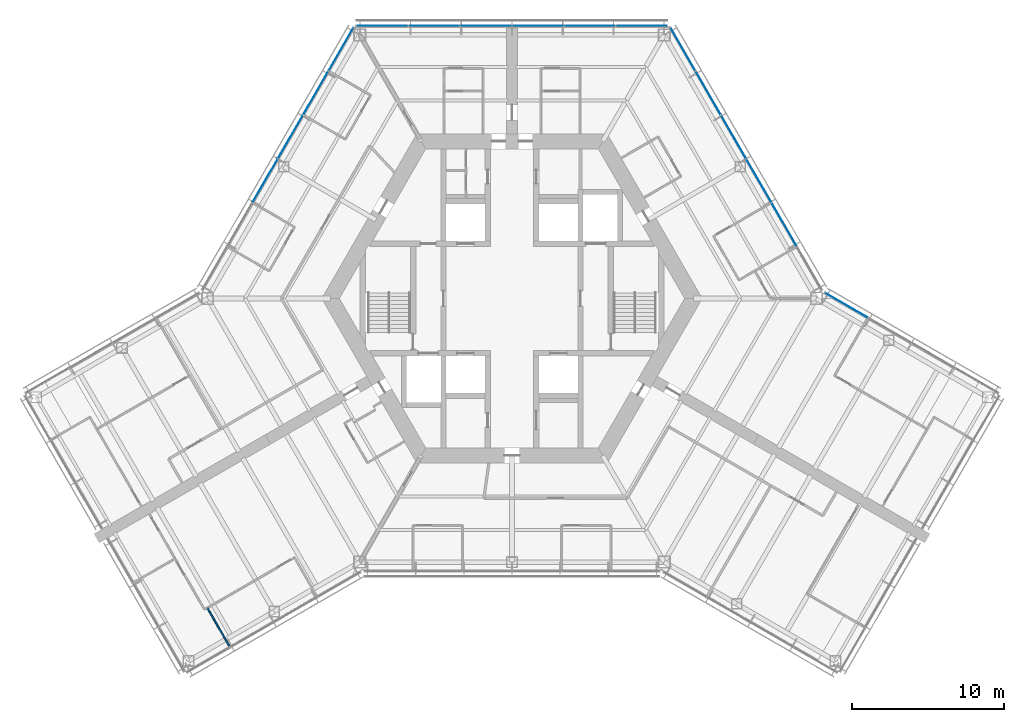
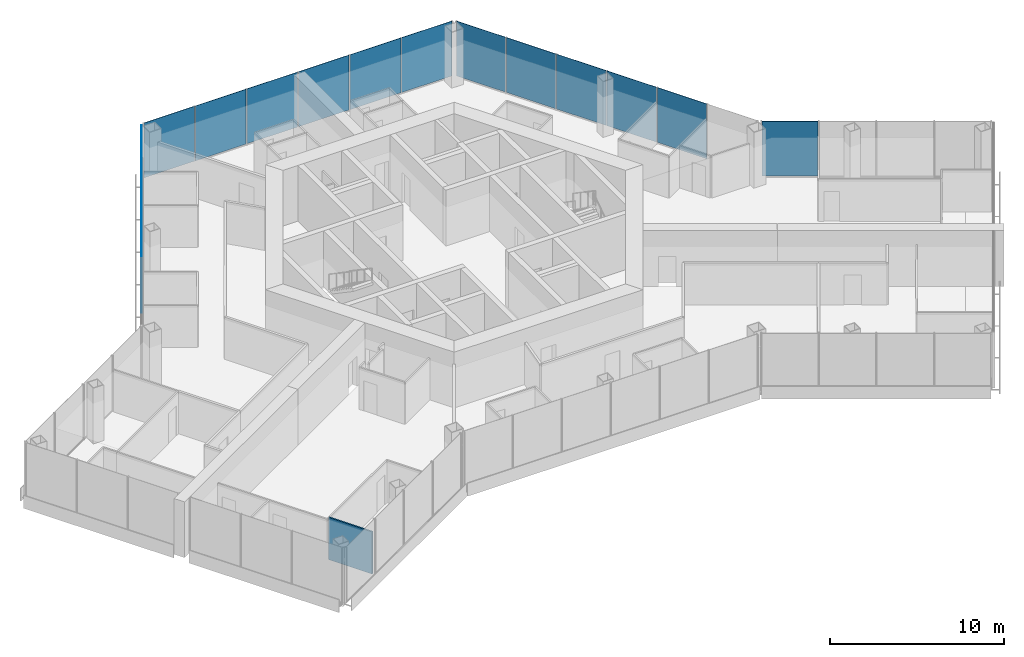
# One storey, part 11 of 18: 16 plates, 1 wall, 4 elements without a shape of their own.
"""IFC4 building model written with IfcOpenShell, lengths in metres."""

from ifc_helpers import new_model, si_unit, direction, frame, frame_2d, origin, origin_2d, place, context, subcontext, project, spatial, rectangle, extrude, material, layer, layer_set, type_object, element, aggregate, save


model = new_model("IFC4")

# Units and contexts
model_context = context("Model", 3, precision=1e-05, world=origin(), true_north=direction((0.0, 1.0)))
body_context = subcontext(model_context, "Body", "Model", "MODEL_VIEW")
ifc_project = project(units=[si_unit("LENGTHUNIT", "METRE"), si_unit("AREAUNIT", "SQUARE_METRE"), si_unit("VOLUMEUNIT", "CUBIC_METRE"), si_unit("PLANEANGLEUNIT", "RADIAN"), si_unit("MASSUNIT", "GRAM", prefix="KILO")], contexts=[model_context])

# Site, building, storey
site_placement = place(None, origin())
site = spatial("IfcSite", under=ifc_project, at=site_placement, CompositionType="ELEMENT")
building_placement = place(site_placement, origin())
building = spatial("IfcBuilding", under=site, at=building_placement, Name="Kasaneha Research Tower", CompositionType="ELEMENT")
storey_placement = place(building_placement, frame((0.0, 0.0, 179.89990234375)))
storey = spatial("IfcBuildingStorey", under=building, at=storey_placement, Name="L45", CompositionType="ELEMENT", Elevation=179.89990234375)

# Curtain wall, plate
ifc_material_1 = material(Name="Glass and aluminium", Category="aluminium")
curtain_wall_type = type_object("IfcCurtainWallType", Name="Mid-rise office curtain wall", PredefinedType="USERDEFINED", material=ifc_material_1)
curtain_wall_1_placement = place(storey_placement, origin())
curtain_wall_1 = element("IfcCurtainWall", 1, at=curtain_wall_1_placement, inside=storey, type_object=curtain_wall_type, Name="CW-O2 L45 run 05a", ObjectType="UNITISED CURTAIN WALL", PredefinedType="USERDEFINED")
ifc_material_2 = material(Name="Laminated double glazing", Category="glass")
ifc_layer_1 = layer(ifc_material_2, 0.02587890625)
ifc_layer_set_1 = layer_set([ifc_layer_1], Name="CW-O2 glazed panel")
plate_type = type_object("IfcPlateType", Name="CW-O2 glazed panel", PredefinedType="CURTAIN_PANEL", material=ifc_layer_set_1)
plate_1_placement = place(storey_placement, frame((21.971923828125, -0.44580078125, 0.06005859375), z_axis=(0.0, 0.0, 1.0), x_axis=(-0.866025411464, 0.499999986699, 0.0)))
plate_1 = element("IfcPlate", 2, at=plate_1_placement, type_object=plate_type, Name="CW-O2 panel 4", PredefinedType="CURTAIN_PANEL", context=body_context, shape_type="SweptSolid", body=[
    extrude(rectangle(XDim=3.2197265625, YDim=0.02587890625, at=origin_2d()), origin(), (0.0, 0.0, 1.0), 3.840087890625),
])
aggregate(curtain_wall_1, [plate_1])

# Curtain wall, plates
curtain_wall_2_placement = place(storey_placement, origin())
curtain_wall_2 = element("IfcCurtainWall", 3, at=curtain_wall_2_placement, inside=storey, type_object=curtain_wall_type, Name="CW-O2 L45 run 06a", ObjectType="UNITISED CURTAIN WALL", PredefinedType="USERDEFINED")
plate_2_placement = place(storey_placement, frame((17.89111328125, 4.852783203125, 0.06005859375), z_axis=(0.0, 0.0, 1.0), x_axis=(-0.499999979232, 0.866025415775, 0.0)))
plate_2 = element("IfcPlate", 4, at=plate_2_placement, type_object=plate_type, Name="CW-O2 panel 2", PredefinedType="CURTAIN_PANEL", context=body_context, shape_type="SweptSolid", body=[
    extrude(rectangle(XDim=3.27099609375, YDim=0.02587890625, at=origin_2d()), origin(), (0.0, 0.0, 1.0), 3.840087890625),
])
plate_3_placement = place(storey_placement, frame((16.2255859375, 7.737548828125, 0.06005859375), z_axis=(0.0, 0.0, 1.0), x_axis=(-0.499999979232, 0.866025415775, 0.0)))
plate_3 = element("IfcPlate", 5, at=plate_3_placement, type_object=plate_type, Name="CW-O2 panel 3", PredefinedType="CURTAIN_PANEL", context=body_context, shape_type="SweptSolid", body=[
    extrude(rectangle(XDim=3.27099609375, YDim=0.02587890625, at=origin_2d()), origin(), (0.0, 0.0, 1.0), 3.840087890625),
])
plate_4_placement = place(storey_placement, frame((14.56005859375, 10.622314453125, 0.06005859375), z_axis=(0.0, 0.0, 1.0), x_axis=(-0.499999979232, 0.866025415775, 0.0)))
plate_4 = element("IfcPlate", 6, at=plate_4_placement, type_object=plate_type, Name="CW-O2 panel 4", PredefinedType="CURTAIN_PANEL", context=body_context, shape_type="SweptSolid", body=[
    extrude(rectangle(XDim=3.27099609375, YDim=0.02587890625, at=origin_2d()), origin(), (0.0, 0.0, 1.0), 3.840087890625),
])
plate_5_placement = place(storey_placement, frame((12.89453125, 13.5068359375, 0.06005859375), z_axis=(0.0, 0.0, 1.0), x_axis=(-0.499999979232, 0.866025415775, 0.0)))
plate_5 = element("IfcPlate", 7, at=plate_5_placement, type_object=plate_type, Name="CW-O2 panel 5", PredefinedType="CURTAIN_PANEL", context=body_context, shape_type="SweptSolid", body=[
    extrude(rectangle(XDim=3.27099609375, YDim=0.02587890625, at=origin_2d()), origin(), (0.0, 0.0, 1.0), 3.840087890625),
])
plate_6_placement = place(storey_placement, frame((11.236572265625, 16.378662109375, 0.06005859375), z_axis=(0.0, 0.0, 1.0), x_axis=(-0.499999979232, 0.866025415775, 0.0)))
plate_6 = element("IfcPlate", 8, at=plate_6_placement, type_object=plate_type, Name="CW-O2 panel 6", PredefinedType="CURTAIN_PANEL", context=body_context, shape_type="SweptSolid", body=[
    extrude(rectangle(XDim=3.240966796875, YDim=0.02587890625, at=origin_2d()), origin(), (0.0, 0.0, 1.0), 3.840087890625),
])
aggregate(curtain_wall_2, [plate_2, plate_3, plate_4, plate_5, plate_6])

curtain_wall_3_placement = place(storey_placement, origin())
curtain_wall_3 = element("IfcCurtainWall", 9, at=curtain_wall_3_placement, inside=storey, type_object=curtain_wall_type, Name="CW-O2 L45 run 07a", ObjectType="UNITISED CURTAIN WALL", PredefinedType="USERDEFINED")
plate_7_placement = place(storey_placement, frame((8.523681640625, 17.92041015625, 0.06005859375), z_axis=(0.0, 0.0, 1.0), x_axis=(-1.0, 0.0, 0.0)))
plate_7 = element("IfcPlate", 10, at=plate_7_placement, type_object=plate_type, Name="CW-O2 panel 1", PredefinedType="CURTAIN_PANEL", context=body_context, shape_type="SweptSolid", body=[
    extrude(rectangle(XDim=3.325439453125, YDim=0.02587890625, at=origin_2d()), origin(), (0.0, 0.0, 1.0), 3.840087890625),
])
plate_8_placement = place(storey_placement, frame((5.123291015625, 17.92041015625, 0.06005859375), z_axis=(0.0, 0.0, 1.0), x_axis=(-1.0, 0.0, 0.0)))
plate_8 = element("IfcPlate", 11, at=plate_8_placement, type_object=plate_type, Name="CW-O2 panel 2", PredefinedType="CURTAIN_PANEL", context=body_context, shape_type="SweptSolid", body=[
    extrude(rectangle(XDim=3.35546875, YDim=0.02587890625, at=origin_2d()), origin(), (0.0, 0.0, 1.0), 3.840087890625),
])
plate_9_placement = place(storey_placement, frame((1.707763671875, 17.92041015625, 0.06005859375), z_axis=(0.0, 0.0, 1.0), x_axis=(-1.0, 0.0, 0.0)))
plate_9 = element("IfcPlate", 12, at=plate_9_placement, type_object=plate_type, Name="CW-O2 panel 3", PredefinedType="CURTAIN_PANEL", context=body_context, shape_type="SweptSolid", body=[
    extrude(rectangle(XDim=3.35546875, YDim=0.02587890625, at=origin_2d()), origin(), (0.0, 0.0, 1.0), 3.840087890625),
])
plate_10_placement = place(storey_placement, frame((-1.707763671875, 17.92041015625, 0.06005859375), z_axis=(0.0, 0.0, 1.0), x_axis=(-1.0, 0.0, 0.0)))
plate_10 = element("IfcPlate", 13, at=plate_10_placement, type_object=plate_type, Name="CW-O2 panel 4", PredefinedType="CURTAIN_PANEL", context=body_context, shape_type="SweptSolid", body=[
    extrude(rectangle(XDim=3.35546875, YDim=0.02587890625, at=origin_2d()), origin(), (0.0, 0.0, 1.0), 3.840087890625),
])
plate_11_placement = place(storey_placement, frame((-5.123291015625, 17.92041015625, 0.06005859375), z_axis=(0.0, 0.0, 1.0), x_axis=(-1.0, 0.0, 0.0)))
plate_11 = element("IfcPlate", 14, at=plate_11_placement, type_object=plate_type, Name="CW-O2 panel 5", PredefinedType="CURTAIN_PANEL", context=body_context, shape_type="SweptSolid", body=[
    extrude(rectangle(XDim=3.35546875, YDim=0.02587890625, at=origin_2d()), origin(), (0.0, 0.0, 1.0), 3.840087890625),
])
plate_12_placement = place(storey_placement, frame((-8.523681640625, 17.92041015625, 0.06005859375), z_axis=(0.0, 0.0, 1.0), x_axis=(-1.0, 0.0, 0.0)))
plate_12 = element("IfcPlate", 15, at=plate_12_placement, type_object=plate_type, Name="CW-O2 panel 6", PredefinedType="CURTAIN_PANEL", context=body_context, shape_type="SweptSolid", body=[
    extrude(rectangle(XDim=3.325439453125, YDim=0.02587890625, at=origin_2d()), origin(), (0.0, 0.0, 1.0), 3.840087890625),
])
aggregate(curtain_wall_3, [plate_7, plate_8, plate_9, plate_10, plate_11, plate_12])

curtain_wall_4_placement = place(storey_placement, origin())
curtain_wall_4 = element("IfcCurtainWall", 16, at=curtain_wall_4_placement, inside=storey, type_object=curtain_wall_type, Name="CW-O2 L45 run 08a", ObjectType="UNITISED CURTAIN WALL", PredefinedType="USERDEFINED")
plate_13_placement = place(storey_placement, frame((-11.236572265625, 16.378662109375, 0.06005859375), z_axis=(0.0, 0.0, 1.0), x_axis=(-0.499999979232, -0.866025415775, 0.0)))
plate_13 = element("IfcPlate", 17, at=plate_13_placement, type_object=plate_type, Name="CW-O2 panel 1", PredefinedType="CURTAIN_PANEL", context=body_context, shape_type="SweptSolid", body=[
    extrude(rectangle(XDim=3.240966796875, YDim=0.02587890625, at=origin_2d()), origin(), (0.0, 0.0, 1.0), 3.840087890625),
])
plate_14_placement = place(storey_placement, frame((-12.89453125, 13.5068359375, 0.06005859375), z_axis=(0.0, 0.0, 1.0), x_axis=(-0.499999979232, -0.866025415775, 0.0)))
plate_14 = element("IfcPlate", 18, at=plate_14_placement, type_object=plate_type, Name="CW-O2 panel 2", PredefinedType="CURTAIN_PANEL", context=body_context, shape_type="SweptSolid", body=[
    extrude(rectangle(XDim=3.27099609375, YDim=0.02587890625, at=origin_2d()), origin(), (0.0, 0.0, 1.0), 3.840087890625),
])
plate_15_placement = place(storey_placement, frame((-14.56005859375, 10.622314453125, 0.06005859375), z_axis=(0.0, 0.0, 1.0), x_axis=(-0.499999979232, -0.866025415775, 0.0)))
plate_15 = element("IfcPlate", 19, at=plate_15_placement, type_object=plate_type, Name="CW-O2 panel 3", PredefinedType="CURTAIN_PANEL", context=body_context, shape_type="SweptSolid", body=[
    extrude(rectangle(XDim=3.27099609375, YDim=0.02587890625, at=origin_2d()), origin(), (0.0, 0.0, 1.0), 3.840087890625),
])
plate_16_placement = place(storey_placement, frame((-16.2255859375, 7.737548828125, 0.06005859375), z_axis=(0.0, 0.0, 1.0), x_axis=(-0.499999979232, -0.866025415775, 0.0)))
plate_16 = element("IfcPlate", 20, at=plate_16_placement, type_object=plate_type, Name="CW-O2 panel 4", PredefinedType="CURTAIN_PANEL", context=body_context, shape_type="SweptSolid", body=[
    extrude(rectangle(XDim=3.27099609375, YDim=0.02587890625, at=origin_2d()), origin(), (0.0, 0.0, 1.0), 3.840087890625),
])
aggregate(curtain_wall_4, [plate_13, plate_14, plate_15, plate_16])

# Wall
ifc_material_3 = material(Name="Gypsum board on steel studs, one layer each side", Category="steel")
ifc_layer_2 = layer(ifc_material_3, 0.10009765625)
ifc_layer_set_2 = layer_set([ifc_layer_2], Name="Office partition 100")
wall_type = type_object("IfcWallType", Name="Office partition 100", PredefinedType="PARTITIONING", material=ifc_layer_set_2)
wall_placement = place(storey_placement, frame((-18.5849609375, -22.831298828125, 0.0), z_axis=(0.0, 0.0, 1.0), x_axis=(-0.498373965927, 0.866962161854, 0.0)))
element("IfcWall", 21, at=wall_placement, inside=storey, type_object=wall_type, Name="Office partition FBS06 L45", PredefinedType="PARTITIONING", context=body_context, shape_type="SweptSolid", body=[
    extrude(rectangle(XDim=2.8798828125, YDim=0.10009765625, at=frame_2d((1.43994140625, 0.0))), origin(), (0.0, 0.0, 1.0), 2.9501953125),
])

save(model, "model.ifc")
